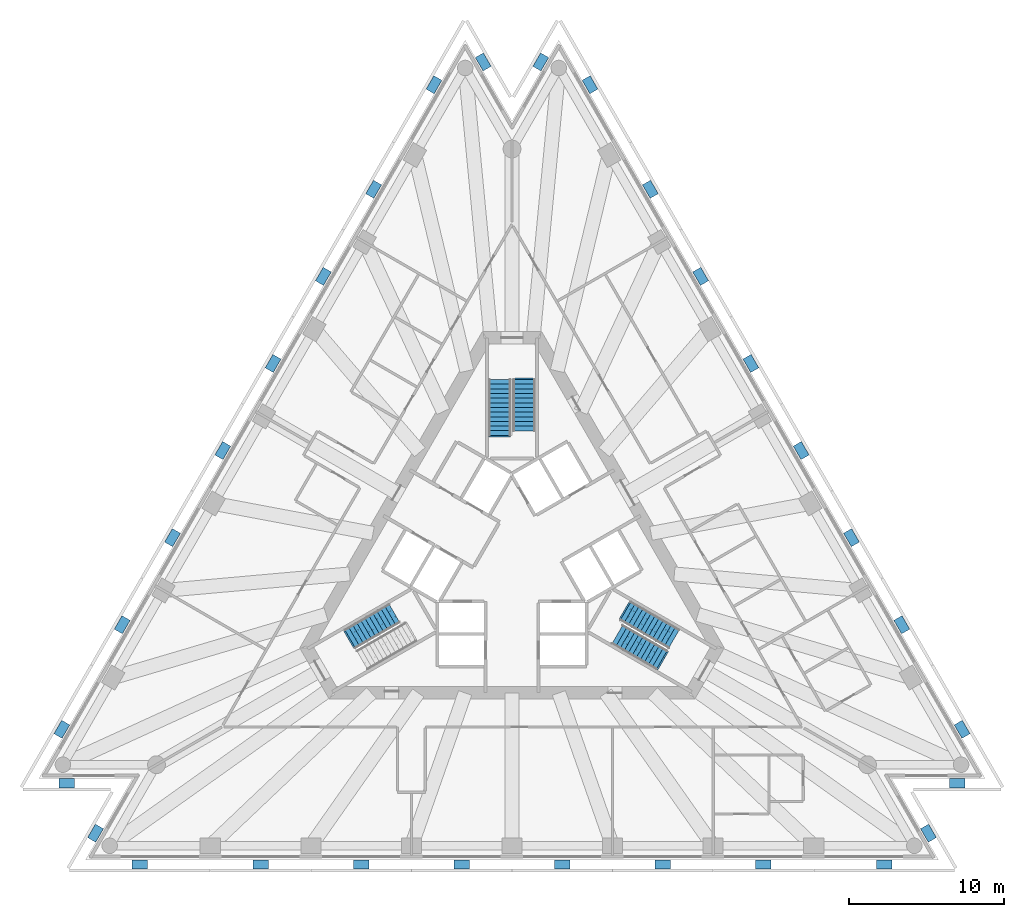
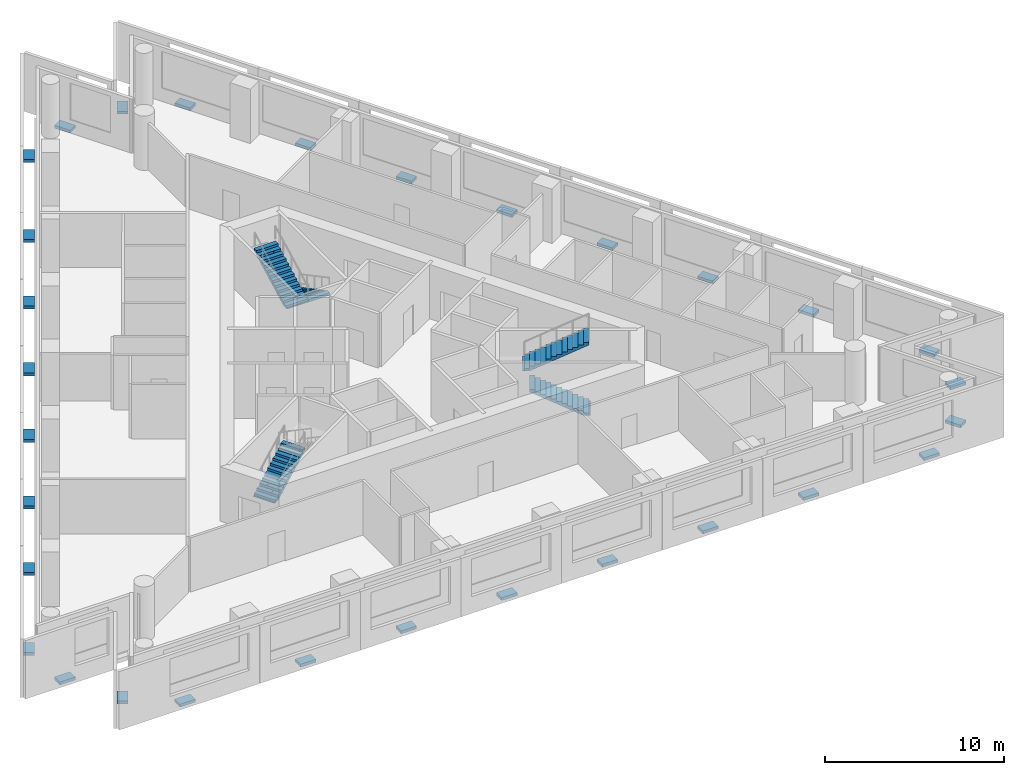
# One storey, part 7 of 9: 30 discrete accessories, 5 stair flights, 3 elements without a shape of their own.
"""IFC4 building model written with IfcOpenShell, lengths in metres."""

from ifc_helpers import new_model, si_unit, direction, frame, origin, origin_2d, place, context, subcontext, project, spatial, polyline, rectangle, outline, extrude, material, type_object, element, aggregate, save


model = new_model("IFC4")

# Units and contexts
model_context = context("Model", 3, precision=1e-05, world=origin(), true_north=direction((0.0, 1.0)))
body_context = subcontext(model_context, "Body", "Model", "MODEL_VIEW")
ifc_project = project(units=[si_unit("LENGTHUNIT", "METRE"), si_unit("AREAUNIT", "SQUARE_METRE"), si_unit("VOLUMEUNIT", "CUBIC_METRE"), si_unit("PLANEANGLEUNIT", "RADIAN"), si_unit("MASSUNIT", "GRAM", prefix="KILO")], contexts=[model_context])

# Site, building, storey
site_placement = place(None, origin())
site = spatial("IfcSite", under=ifc_project, at=site_placement, CompositionType="ELEMENT")
building_placement = place(site_placement, origin())
building = spatial("IfcBuilding", under=site, at=building_placement, Name="Triada Interchange Tower", CompositionType="ELEMENT")
storey_placement = place(building_placement, frame((0.0, 0.0, 168.300048828125)))
storey = spatial("IfcBuildingStorey", under=building, at=storey_placement, Name="L39", CompositionType="ELEMENT", Elevation=168.300048828125)

# Stair, stair flights
ifc_material_1 = material(Name="Concrete C35/45", Category="concrete")
stair_type = type_object("IfcStairType", Name="HALF TURN STAIR 1400", PredefinedType="HALF_TURN_STAIR", material=ifc_material_1)
stair_1_placement = place(storey_placement, origin())
stair_1 = element("IfcStair", 1, at=stair_1_placement, inside=storey, type_object=stair_type, Name="Exit stair S38-1", PredefinedType="HALF_TURN_STAIR")
stair_flight_type = type_object("IfcStairFlightType", Name="STRAIGHT STAIR FLIGHT 1400", PredefinedType="STRAIGHT", material=ifc_material_1)
stair_flight_1_placement = place(storey_placement, frame((0.800048828125, 11.60009765625, 0.0), z_axis=(0.0, 0.0, 1.0), x_axis=(0.0, -1.0, 0.0)))
stair_flight_1 = element("IfcStairFlight", 2, at=stair_flight_1_placement, type_object=stair_flight_type, Name="S38-1 flight 1", NumberOfRisers=12, NumberOfTreads=11, PredefinedType="STRAIGHT", RiserHeight=0.16, TreadLength=0.3, context=body_context, shape_type="SweptSolid", body=[
    extrude(outline(polyline([(-0.10009765625, 0.0), (-0.10009765625, 0.02001953125), (0.0, 0.02001953125), (0.0, 0.159912109375), (0.300048828125, 0.159912109375), (0.300048828125, 0.320068359375), (0.60009765625, 0.320068359375), (0.60009765625, 0.47998046875), (0.89990234375, 0.47998046875), (0.89990234375, 0.639892578125), (1.199951171875, 0.639892578125), (1.199951171875, 0.800048828125), (1.5, 0.800048828125), (1.5, 0.9599609375), (1.800048828125, 0.9599609375), (1.800048828125, 1.1201171875), (2.10009765625, 1.1201171875), (2.10009765625, 1.280029296875), (2.39990234375, 1.280029296875), (2.39990234375, 1.43994140625), (2.699951171875, 1.43994140625), (2.699951171875, 1.60009765625), (3.0, 1.60009765625), (3.0, 1.760009765625), (3.300048828125, 1.760009765625), (3.303955078125, 1.760009765625), (3.303955078125, 1.919921875), (3.303955078125, 1.590087890625), (0.318603515625, 0.0), (-0.10009765625, 0.0)])), frame((0.0, 0.699951171875, 0.0), z_axis=(0.0, -1.0, 0.0), x_axis=(1.0, 0.0, 0.0)), (0.0, 0.0, 1.0), 0.46533203125),
    extrude(outline(polyline([(-0.10009765625, 0.0), (-0.10009765625, 0.02001953125), (0.0, 0.02001953125), (0.0, 0.159912109375), (0.300048828125, 0.159912109375), (0.300048828125, 0.320068359375), (0.60009765625, 0.320068359375), (0.60009765625, 0.47998046875), (0.89990234375, 0.47998046875), (0.89990234375, 0.639892578125), (1.199951171875, 0.639892578125), (1.199951171875, 0.800048828125), (1.5, 0.800048828125), (1.5, 0.9599609375), (1.800048828125, 0.9599609375), (1.800048828125, 1.1201171875), (2.10009765625, 1.1201171875), (2.10009765625, 1.280029296875), (2.39990234375, 1.280029296875), (2.39990234375, 1.43994140625), (2.699951171875, 1.43994140625), (2.699951171875, 1.60009765625), (3.0, 1.60009765625), (3.0, 1.760009765625), (3.300048828125, 1.760009765625), (3.303955078125, 1.760009765625), (3.303955078125, 1.919921875), (3.303955078125, 1.590087890625), (0.318603515625, 0.0), (-0.10009765625, 0.0)])), frame((0.0, 0.232666015625, 0.0), z_axis=(0.0, -1.0, 0.0), x_axis=(1.0, 0.0, 0.0)), (0.0, 0.0, 1.0), 0.46533203125),
    extrude(outline(polyline([(-0.10009765625, 0.0), (-0.10009765625, 0.02001953125), (0.0, 0.02001953125), (0.0, 0.159912109375), (0.300048828125, 0.159912109375), (0.300048828125, 0.320068359375), (0.60009765625, 0.320068359375), (0.60009765625, 0.47998046875), (0.89990234375, 0.47998046875), (0.89990234375, 0.639892578125), (1.199951171875, 0.639892578125), (1.199951171875, 0.800048828125), (1.5, 0.800048828125), (1.5, 0.9599609375), (1.800048828125, 0.9599609375), (1.800048828125, 1.1201171875), (2.10009765625, 1.1201171875), (2.10009765625, 1.280029296875), (2.39990234375, 1.280029296875), (2.39990234375, 1.43994140625), (2.699951171875, 1.43994140625), (2.699951171875, 1.60009765625), (3.0, 1.60009765625), (3.0, 1.760009765625), (3.300048828125, 1.760009765625), (3.303955078125, 1.760009765625), (3.303955078125, 1.919921875), (3.303955078125, 1.590087890625), (0.318603515625, 0.0), (-0.10009765625, 0.0)])), frame((0.0, -0.234619140625, 0.0), z_axis=(0.0, -1.0, 0.0), x_axis=(1.0, 0.0, 0.0)), (0.0, 0.0, 1.0), 0.46533203125),
])
stair_flight_2_placement = place(storey_placement, frame((-0.800048828125, 8.0, 1.919921875), z_axis=(0.0, 0.0, 1.0), x_axis=(0.0, 1.0, 0.0)))
stair_flight_2 = element("IfcStairFlight", 3, at=stair_flight_2_placement, type_object=stair_flight_type, Name="S38-1 flight 2", NumberOfRisers=13, NumberOfTreads=12, PredefinedType="STRAIGHT", RiserHeight=0.16, TreadLength=0.3, context=body_context, shape_type="SweptSolid", body=[
    extrude(outline(polyline([(-0.10009765625, 0.0), (-0.10009765625, 0.02001953125), (0.0, 0.02001953125), (0.0, 0.159912109375), (0.300048828125, 0.159912109375), (0.300048828125, 0.320068359375), (0.60009765625, 0.320068359375), (0.60009765625, 0.47998046875), (0.89990234375, 0.47998046875), (0.89990234375, 0.639892578125), (1.199951171875, 0.639892578125), (1.199951171875, 0.800048828125), (1.5, 0.800048828125), (1.5, 0.9599609375), (1.800048828125, 0.9599609375), (1.800048828125, 1.1201171875), (2.10009765625, 1.1201171875), (2.10009765625, 1.280029296875), (2.39990234375, 1.280029296875), (2.39990234375, 1.43994140625), (2.699951171875, 1.43994140625), (2.699951171875, 1.60009765625), (3.0, 1.60009765625), (3.0, 1.760009765625), (3.300048828125, 1.760009765625), (3.300048828125, 1.919921875), (3.60009765625, 1.919921875), (3.60400390625, 1.919921875), (3.60400390625, 2.080078125), (3.60400390625, 1.75), (0.318603515625, 0.0), (-0.10009765625, 0.0)])), frame((0.0, 0.699951171875, 0.0), z_axis=(0.0, -1.0, 0.0), x_axis=(1.0, 0.0, 0.0)), (0.0, 0.0, 1.0), 0.46533203125),
    extrude(outline(polyline([(-0.10009765625, 0.0), (-0.10009765625, 0.02001953125), (0.0, 0.02001953125), (0.0, 0.159912109375), (0.300048828125, 0.159912109375), (0.300048828125, 0.320068359375), (0.60009765625, 0.320068359375), (0.60009765625, 0.47998046875), (0.89990234375, 0.47998046875), (0.89990234375, 0.639892578125), (1.199951171875, 0.639892578125), (1.199951171875, 0.800048828125), (1.5, 0.800048828125), (1.5, 0.9599609375), (1.800048828125, 0.9599609375), (1.800048828125, 1.1201171875), (2.10009765625, 1.1201171875), (2.10009765625, 1.280029296875), (2.39990234375, 1.280029296875), (2.39990234375, 1.43994140625), (2.699951171875, 1.43994140625), (2.699951171875, 1.60009765625), (3.0, 1.60009765625), (3.0, 1.760009765625), (3.300048828125, 1.760009765625), (3.300048828125, 1.919921875), (3.60009765625, 1.919921875), (3.60400390625, 1.919921875), (3.60400390625, 2.080078125), (3.60400390625, 1.75), (0.318603515625, 0.0), (-0.10009765625, 0.0)])), frame((0.0, 0.232666015625, 0.0), z_axis=(0.0, -1.0, 0.0), x_axis=(1.0, 0.0, 0.0)), (0.0, 0.0, 1.0), 0.46533203125),
    extrude(outline(polyline([(-0.10009765625, 0.0), (-0.10009765625, 0.02001953125), (0.0, 0.02001953125), (0.0, 0.159912109375), (0.300048828125, 0.159912109375), (0.300048828125, 0.320068359375), (0.60009765625, 0.320068359375), (0.60009765625, 0.47998046875), (0.89990234375, 0.47998046875), (0.89990234375, 0.639892578125), (1.199951171875, 0.639892578125), (1.199951171875, 0.800048828125), (1.5, 0.800048828125), (1.5, 0.9599609375), (1.800048828125, 0.9599609375), (1.800048828125, 1.1201171875), (2.10009765625, 1.1201171875), (2.10009765625, 1.280029296875), (2.39990234375, 1.280029296875), (2.39990234375, 1.43994140625), (2.699951171875, 1.43994140625), (2.699951171875, 1.60009765625), (3.0, 1.60009765625), (3.0, 1.760009765625), (3.300048828125, 1.760009765625), (3.300048828125, 1.919921875), (3.60009765625, 1.919921875), (3.60400390625, 1.919921875), (3.60400390625, 2.080078125), (3.60400390625, 1.75), (0.318603515625, 0.0), (-0.10009765625, 0.0)])), frame((0.0, -0.234619140625, 0.0), z_axis=(0.0, -1.0, 0.0), x_axis=(1.0, 0.0, 0.0)), (0.0, 0.0, 1.0), 0.46533203125),
])
aggregate(stair_1, [stair_flight_1, stair_flight_2])

# Stair, stair flight
stair_2_placement = place(storey_placement, origin())
stair_2 = element("IfcStair", 4, at=stair_2_placement, inside=storey, type_object=stair_type, Name="Exit stair S38-2", PredefinedType="HALF_TURN_STAIR")
stair_flight_3_placement = place(storey_placement, frame((-10.446044921875, -5.10693359375, 0.0), z_axis=(0.0, 0.0, 1.0), x_axis=(0.866025403784, 0.5, 0.0)))
stair_flight_3 = element("IfcStairFlight", 5, at=stair_flight_3_placement, type_object=stair_flight_type, Name="S38-2 flight 1", NumberOfRisers=12, NumberOfTreads=11, PredefinedType="STRAIGHT", RiserHeight=0.16, TreadLength=0.3, context=body_context, shape_type="SweptSolid", body=[
    extrude(outline(polyline([(-0.10009765625, 0.0), (-0.10009765625, 0.02001953125), (0.0, 0.02001953125), (0.0, 0.159912109375), (0.300048828125, 0.159912109375), (0.300048828125, 0.320068359375), (0.60009765625, 0.320068359375), (0.60009765625, 0.47998046875), (0.89990234375, 0.47998046875), (0.89990234375, 0.639892578125), (1.199951171875, 0.639892578125), (1.199951171875, 0.800048828125), (1.5, 0.800048828125), (1.5, 0.9599609375), (1.800048828125, 0.9599609375), (1.800048828125, 1.1201171875), (2.10009765625, 1.1201171875), (2.10009765625, 1.280029296875), (2.39990234375, 1.280029296875), (2.39990234375, 1.43994140625), (2.699951171875, 1.43994140625), (2.699951171875, 1.60009765625), (3.0, 1.60009765625), (3.0, 1.760009765625), (3.300048828125, 1.760009765625), (3.303955078125, 1.760009765625), (3.303955078125, 1.919921875), (3.303955078125, 1.590087890625), (0.318603515625, 0.0), (-0.10009765625, 0.0)])), frame((0.0, 0.699951171875, 0.0), z_axis=(0.0, -1.0, 0.0), x_axis=(1.0, 0.0, 0.0)), (0.0, 0.0, 1.0), 0.46533203125),
    extrude(outline(polyline([(-0.10009765625, 0.0), (-0.10009765625, 0.02001953125), (0.0, 0.02001953125), (0.0, 0.159912109375), (0.300048828125, 0.159912109375), (0.300048828125, 0.320068359375), (0.60009765625, 0.320068359375), (0.60009765625, 0.47998046875), (0.89990234375, 0.47998046875), (0.89990234375, 0.639892578125), (1.199951171875, 0.639892578125), (1.199951171875, 0.800048828125), (1.5, 0.800048828125), (1.5, 0.9599609375), (1.800048828125, 0.9599609375), (1.800048828125, 1.1201171875), (2.10009765625, 1.1201171875), (2.10009765625, 1.280029296875), (2.39990234375, 1.280029296875), (2.39990234375, 1.43994140625), (2.699951171875, 1.43994140625), (2.699951171875, 1.60009765625), (3.0, 1.60009765625), (3.0, 1.760009765625), (3.300048828125, 1.760009765625), (3.303955078125, 1.760009765625), (3.303955078125, 1.919921875), (3.303955078125, 1.590087890625), (0.318603515625, 0.0), (-0.10009765625, 0.0)])), frame((0.0, 0.232666015625, 0.0), z_axis=(0.0, -1.0, 0.0), x_axis=(1.0, 0.0, 0.0)), (0.0, 0.0, 1.0), 0.46533203125),
    extrude(outline(polyline([(-0.10009765625, 0.0), (-0.10009765625, 0.02001953125), (0.0, 0.02001953125), (0.0, 0.159912109375), (0.300048828125, 0.159912109375), (0.300048828125, 0.320068359375), (0.60009765625, 0.320068359375), (0.60009765625, 0.47998046875), (0.89990234375, 0.47998046875), (0.89990234375, 0.639892578125), (1.199951171875, 0.639892578125), (1.199951171875, 0.800048828125), (1.5, 0.800048828125), (1.5, 0.9599609375), (1.800048828125, 0.9599609375), (1.800048828125, 1.1201171875), (2.10009765625, 1.1201171875), (2.10009765625, 1.280029296875), (2.39990234375, 1.280029296875), (2.39990234375, 1.43994140625), (2.699951171875, 1.43994140625), (2.699951171875, 1.60009765625), (3.0, 1.60009765625), (3.0, 1.760009765625), (3.300048828125, 1.760009765625), (3.303955078125, 1.760009765625), (3.303955078125, 1.919921875), (3.303955078125, 1.590087890625), (0.318603515625, 0.0), (-0.10009765625, 0.0)])), frame((0.0, -0.234619140625, 0.0), z_axis=(0.0, -1.0, 0.0), x_axis=(1.0, 0.0, 0.0)), (0.0, 0.0, 1.0), 0.46533203125),
])
aggregate(stair_2, [stair_flight_3])

# Stair, stair flights
stair_3_placement = place(storey_placement, origin())
stair_3 = element("IfcStair", 6, at=stair_3_placement, inside=storey, type_object=stair_type, Name="Exit stair S38-3", PredefinedType="HALF_TURN_STAIR")
stair_flight_4_placement = place(storey_placement, frame((9.64599609375, -6.492919921875, 0.0), z_axis=(0.0, 0.0, 1.0), x_axis=(-0.866025403784, 0.5, 0.0)))
stair_flight_4 = element("IfcStairFlight", 7, at=stair_flight_4_placement, type_object=stair_flight_type, Name="S38-3 flight 1", NumberOfRisers=12, NumberOfTreads=11, PredefinedType="STRAIGHT", RiserHeight=0.16, TreadLength=0.3, context=body_context, shape_type="SweptSolid", body=[
    extrude(outline(polyline([(-0.10009765625, 0.0), (-0.10009765625, 0.02001953125), (0.0, 0.02001953125), (0.0, 0.159912109375), (0.300048828125, 0.159912109375), (0.300048828125, 0.320068359375), (0.60009765625, 0.320068359375), (0.60009765625, 0.47998046875), (0.89990234375, 0.47998046875), (0.89990234375, 0.639892578125), (1.199951171875, 0.639892578125), (1.199951171875, 0.800048828125), (1.5, 0.800048828125), (1.5, 0.9599609375), (1.800048828125, 0.9599609375), (1.800048828125, 1.1201171875), (2.10009765625, 1.1201171875), (2.10009765625, 1.280029296875), (2.39990234375, 1.280029296875), (2.39990234375, 1.43994140625), (2.699951171875, 1.43994140625), (2.699951171875, 1.60009765625), (3.0, 1.60009765625), (3.0, 1.760009765625), (3.300048828125, 1.760009765625), (3.303955078125, 1.760009765625), (3.303955078125, 1.919921875), (3.303955078125, 1.590087890625), (0.318603515625, 0.0), (-0.10009765625, 0.0)])), frame((0.0, 0.699951171875, 0.0), z_axis=(0.0, -1.0, 0.0), x_axis=(1.0, 0.0, 0.0)), (0.0, 0.0, 1.0), 0.46533203125),
    extrude(outline(polyline([(-0.10009765625, 0.0), (-0.10009765625, 0.02001953125), (0.0, 0.02001953125), (0.0, 0.159912109375), (0.300048828125, 0.159912109375), (0.300048828125, 0.320068359375), (0.60009765625, 0.320068359375), (0.60009765625, 0.47998046875), (0.89990234375, 0.47998046875), (0.89990234375, 0.639892578125), (1.199951171875, 0.639892578125), (1.199951171875, 0.800048828125), (1.5, 0.800048828125), (1.5, 0.9599609375), (1.800048828125, 0.9599609375), (1.800048828125, 1.1201171875), (2.10009765625, 1.1201171875), (2.10009765625, 1.280029296875), (2.39990234375, 1.280029296875), (2.39990234375, 1.43994140625), (2.699951171875, 1.43994140625), (2.699951171875, 1.60009765625), (3.0, 1.60009765625), (3.0, 1.760009765625), (3.300048828125, 1.760009765625), (3.303955078125, 1.760009765625), (3.303955078125, 1.919921875), (3.303955078125, 1.590087890625), (0.318603515625, 0.0), (-0.10009765625, 0.0)])), frame((0.0, 0.232666015625, 0.0), z_axis=(0.0, -1.0, 0.0), x_axis=(1.0, 0.0, 0.0)), (0.0, 0.0, 1.0), 0.46533203125),
    extrude(outline(polyline([(-0.10009765625, 0.0), (-0.10009765625, 0.02001953125), (0.0, 0.02001953125), (0.0, 0.159912109375), (0.300048828125, 0.159912109375), (0.300048828125, 0.320068359375), (0.60009765625, 0.320068359375), (0.60009765625, 0.47998046875), (0.89990234375, 0.47998046875), (0.89990234375, 0.639892578125), (1.199951171875, 0.639892578125), (1.199951171875, 0.800048828125), (1.5, 0.800048828125), (1.5, 0.9599609375), (1.800048828125, 0.9599609375), (1.800048828125, 1.1201171875), (2.10009765625, 1.1201171875), (2.10009765625, 1.280029296875), (2.39990234375, 1.280029296875), (2.39990234375, 1.43994140625), (2.699951171875, 1.43994140625), (2.699951171875, 1.60009765625), (3.0, 1.60009765625), (3.0, 1.760009765625), (3.300048828125, 1.760009765625), (3.303955078125, 1.760009765625), (3.303955078125, 1.919921875), (3.303955078125, 1.590087890625), (0.318603515625, 0.0), (-0.10009765625, 0.0)])), frame((0.0, -0.234619140625, 0.0), z_axis=(0.0, -1.0, 0.0), x_axis=(1.0, 0.0, 0.0)), (0.0, 0.0, 1.0), 0.46533203125),
])
stair_flight_5_placement = place(storey_placement, frame((7.327880859375, -3.306884765625, 1.919921875), z_axis=(0.0, 0.0, 1.0), x_axis=(0.866025403784, -0.5, 0.0)))
stair_flight_5 = element("IfcStairFlight", 8, at=stair_flight_5_placement, type_object=stair_flight_type, Name="S38-3 flight 2", NumberOfRisers=13, NumberOfTreads=12, PredefinedType="STRAIGHT", RiserHeight=0.16, TreadLength=0.3, context=body_context, shape_type="SweptSolid", body=[
    extrude(outline(polyline([(-0.10009765625, 0.0), (-0.10009765625, 0.02001953125), (0.0, 0.02001953125), (0.0, 0.159912109375), (0.300048828125, 0.159912109375), (0.300048828125, 0.320068359375), (0.60009765625, 0.320068359375), (0.60009765625, 0.47998046875), (0.89990234375, 0.47998046875), (0.89990234375, 0.639892578125), (1.199951171875, 0.639892578125), (1.199951171875, 0.800048828125), (1.5, 0.800048828125), (1.5, 0.9599609375), (1.800048828125, 0.9599609375), (1.800048828125, 1.1201171875), (2.10009765625, 1.1201171875), (2.10009765625, 1.280029296875), (2.39990234375, 1.280029296875), (2.39990234375, 1.43994140625), (2.699951171875, 1.43994140625), (2.699951171875, 1.60009765625), (3.0, 1.60009765625), (3.0, 1.760009765625), (3.300048828125, 1.760009765625), (3.300048828125, 1.919921875), (3.60009765625, 1.919921875), (3.60400390625, 1.919921875), (3.60400390625, 2.080078125), (3.60400390625, 1.75), (0.318603515625, 0.0), (-0.10009765625, 0.0)])), frame((0.0, 0.699951171875, 0.0), z_axis=(0.0, -1.0, 0.0), x_axis=(1.0, 0.0, 0.0)), (0.0, 0.0, 1.0), 0.46533203125),
    extrude(outline(polyline([(-0.10009765625, 0.0), (-0.10009765625, 0.02001953125), (0.0, 0.02001953125), (0.0, 0.159912109375), (0.300048828125, 0.159912109375), (0.300048828125, 0.320068359375), (0.60009765625, 0.320068359375), (0.60009765625, 0.47998046875), (0.89990234375, 0.47998046875), (0.89990234375, 0.639892578125), (1.199951171875, 0.639892578125), (1.199951171875, 0.800048828125), (1.5, 0.800048828125), (1.5, 0.9599609375), (1.800048828125, 0.9599609375), (1.800048828125, 1.1201171875), (2.10009765625, 1.1201171875), (2.10009765625, 1.280029296875), (2.39990234375, 1.280029296875), (2.39990234375, 1.43994140625), (2.699951171875, 1.43994140625), (2.699951171875, 1.60009765625), (3.0, 1.60009765625), (3.0, 1.760009765625), (3.300048828125, 1.760009765625), (3.300048828125, 1.919921875), (3.60009765625, 1.919921875), (3.60400390625, 1.919921875), (3.60400390625, 2.080078125), (3.60400390625, 1.75), (0.318603515625, 0.0), (-0.10009765625, 0.0)])), frame((0.0, 0.232666015625, 0.0), z_axis=(0.0, -1.0, 0.0), x_axis=(1.0, 0.0, 0.0)), (0.0, 0.0, 1.0), 0.46533203125),
    extrude(outline(polyline([(-0.10009765625, 0.0), (-0.10009765625, 0.02001953125), (0.0, 0.02001953125), (0.0, 0.159912109375), (0.300048828125, 0.159912109375), (0.300048828125, 0.320068359375), (0.60009765625, 0.320068359375), (0.60009765625, 0.47998046875), (0.89990234375, 0.47998046875), (0.89990234375, 0.639892578125), (1.199951171875, 0.639892578125), (1.199951171875, 0.800048828125), (1.5, 0.800048828125), (1.5, 0.9599609375), (1.800048828125, 0.9599609375), (1.800048828125, 1.1201171875), (2.10009765625, 1.1201171875), (2.10009765625, 1.280029296875), (2.39990234375, 1.280029296875), (2.39990234375, 1.43994140625), (2.699951171875, 1.43994140625), (2.699951171875, 1.60009765625), (3.0, 1.60009765625), (3.0, 1.760009765625), (3.300048828125, 1.760009765625), (3.300048828125, 1.919921875), (3.60009765625, 1.919921875), (3.60400390625, 1.919921875), (3.60400390625, 2.080078125), (3.60400390625, 1.75), (0.318603515625, 0.0), (-0.10009765625, 0.0)])), frame((0.0, -0.234619140625, 0.0), z_axis=(0.0, -1.0, 0.0), x_axis=(1.0, 0.0, 0.0)), (0.0, 0.0, 1.0), 0.46533203125),
])
aggregate(stair_3, [stair_flight_4, stair_flight_5])

# Discrete accessories
ifc_material_2 = material(Name="Steel S355", Category="steel")
discrete_accessory_type = type_object("IfcDiscreteAccessoryType", Name="Steel bracket outer skin", PredefinedType="BRACKET", material=ifc_material_2)
for number, where, z_axis, x_axis, name in (
    (9, (-5.027099609375, 30.60009765625, -0.27001953125), (0.0, 0.0, 1.0), (-0.866022619971, 0.500004821676, 0.0), "Bracket L39 01"),
    (10, (-8.91796875, 23.861083984375, -0.27001953125), (0.0, 0.0, 1.0), (-0.866022619971, 0.500004821676, 0.0), "Bracket L39 02"),
    (11, (-12.158935546875, 18.248046875, -0.27001953125), (0.0, 0.0, 1.0), (-0.866022619971, 0.500004821676, 0.0), "Bracket L39 03"),
    (12, (-15.39990234375, 12.634033203125, -0.27001953125), (0.0, 0.0, 1.0), (-0.866022619971, 0.500004821676, 0.0), "Bracket L39 04"),
    (13, (-18.64111328125, 7.02001953125, -0.27001953125), (0.0, 0.0, 1.0), (-0.866022619971, 0.500004821676, 0.0), "Bracket L39 05"),
    (14, (-21.882080078125, 1.406005859375, -0.27001953125), (0.0, 0.0, 1.0), (-0.866022619971, 0.500004821676, 0.0), "Bracket L39 06"),
    (15, (-25.1240234375, -4.20703125, -0.27001953125), (0.0, 0.0, 1.0), (-0.866022619971, 0.500004821676, 0.0), "Bracket L39 07"),
    (16, (-29.013916015625, -10.946044921875, -0.27001953125), (0.0, 0.0, 1.0), (-0.866022619971, 0.500004821676, 0.0), "Bracket L39 08"),
    (17, (-28.699951171875, -14.427978515625, -0.27001953125), (0.0, 0.0, 1.0), (0.0, -1.0, 0.0), "Bracket L39 09"),
    (18, (-26.844970703125, -17.64111328125, -0.27001953125), (0.0, 0.0, 1.0), (-0.86604208865, 0.499971099852, 0.0), "Bracket L39 10"),
    (19, (-23.987060546875, -19.654052734375, -0.27001953125), (0.0, 0.0, 1.0), (0.0, -1.0, 0.0), "Bracket L39 11"),
    (20, (-16.2060546875, -19.654052734375, -0.27001953125), (0.0, 0.0, 1.0), (0.0, -1.0, 0.0), "Bracket L39 12"),
    (21, (-9.722900390625, -19.654052734375, -0.27001953125), (0.0, 0.0, 1.0), (0.0, -1.0, 0.0), "Bracket L39 13"),
    (22, (-3.240966796875, -19.654052734375, -0.27001953125), (0.0, 0.0, 1.0), (0.0, -1.0, 0.0), "Bracket L39 14"),
    (23, (3.240966796875, -19.654052734375, -0.27001953125), (0.0, 0.0, 1.0), (0.0, -1.0, 0.0), "Bracket L39 15"),
    (24, (9.722900390625, -19.654052734375, -0.27001953125), (0.0, 0.0, 1.0), (0.0, -1.0, 0.0), "Bracket L39 16"),
    (25, (16.2060546875, -19.654052734375, -0.27001953125), (0.0, 0.0, 1.0), (0.0, -1.0, 0.0), "Bracket L39 17"),
    (26, (23.987060546875, -19.654052734375, -0.27001953125), (0.0, 0.0, 1.0), (0.0, -1.0, 0.0), "Bracket L39 18"),
    (27, (26.844970703125, -17.64111328125, -0.27001953125), (0.0, 0.0, 1.0), (0.86604208865, 0.499971099852, 0.0), "Bracket L39 19"),
    (28, (28.699951171875, -14.427978515625, -0.27001953125), (0.0, 0.0, 1.0), (0.0, -1.0, 0.0), "Bracket L39 20"),
    (29, (29.013916015625, -10.946044921875, -0.27001953125), (0.0, 0.0, 1.0), (0.866022619971, 0.500004821676, 0.0), "Bracket L39 21"),
    (30, (25.1240234375, -4.20703125, -0.27001953125), (0.0, 0.0, 1.0), (0.866022619971, 0.500004821676, 0.0), "Bracket L39 22"),
    (31, (21.882080078125, 1.406005859375, -0.27001953125), (0.0, 0.0, 1.0), (0.866022619971, 0.500004821676, 0.0), "Bracket L39 23"),
    (32, (18.64111328125, 7.02001953125, -0.27001953125), (0.0, 0.0, 1.0), (0.866022619971, 0.500004821676, 0.0), "Bracket L39 24"),
    (33, (15.39990234375, 12.634033203125, -0.27001953125), (0.0, 0.0, 1.0), (0.866022619971, 0.500004821676, 0.0), "Bracket L39 25"),
    (34, (12.158935546875, 18.248046875, -0.27001953125), (0.0, 0.0, 1.0), (0.866022619971, 0.500004821676, 0.0), "Bracket L39 26"),
    (35, (8.91796875, 23.861083984375, -0.27001953125), (0.0, 0.0, 1.0), (0.866022619971, 0.500004821676, 0.0), "Bracket L39 27"),
    (36, (5.027099609375, 30.60009765625, -0.27001953125), (0.0, 0.0, 1.0), (0.866022619971, 0.500004821676, 0.0), "Bracket L39 28"),
    (37, (1.85498046875, 32.069091796875, -0.27001953125), (0.0, 0.0, 1.0), (-0.866000653955, 0.500042865512, 0.0), "Bracket L39 29"),
    (38, (-1.85498046875, 32.069091796875, -0.27001953125), (0.0, 0.0, 1.0), (0.866000653955, 0.500042865512, 0.0), "Bracket L39 30"),
):
    element("IfcDiscreteAccessory", number, at=place(storey_placement, frame(where, z_axis=z_axis, x_axis=x_axis)), inside=storey, type_object=discrete_accessory_type, Name=name, PredefinedType="BRACKET", context=body_context, shape_type="SweptSolid", body=[
        extrude(rectangle(XDim=0.60009765625, YDim=1.0, at=origin_2d()), origin(), (0.0, 0.0, 1.0), 0.199951171875),
    ])

save(model, "model.ifc")
